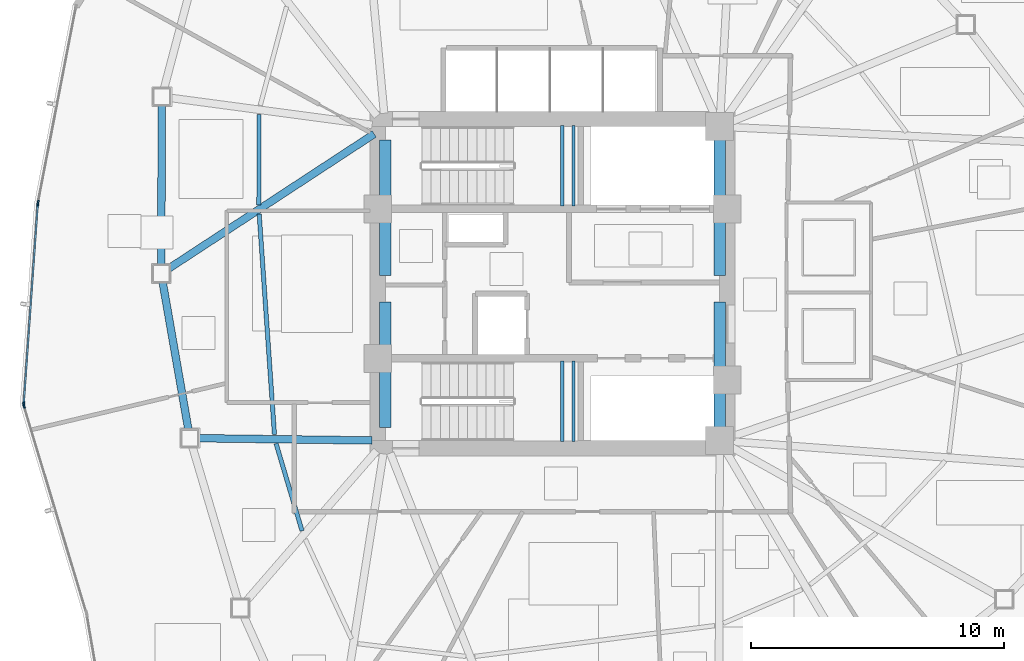
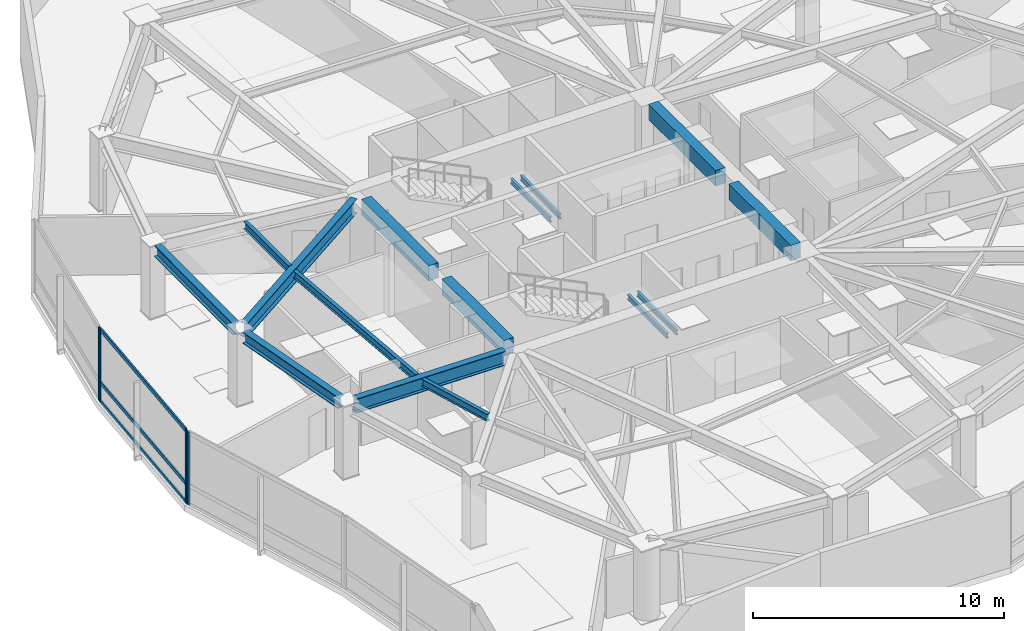
# One storey, part 4 of 17: 15 beams, 7 members, 3 elements without a shape of their own.
"""IFC4 building model written with IfcOpenShell, lengths in metres."""

from ifc_helpers import new_model, si_unit, direction, frame, origin, origin_2d, place, context, subcontext, project, spatial, rectangle, hollow_rectangle, i_section, extrude, source, transform, mapped, material, layer, layer_set, material_profile, profile_set, type_object, type_shapes, element, aggregate, save


model = new_model("IFC4")

# Units and contexts
model_context = context("Model", 3, precision=1e-05, world=origin(), true_north=direction((0.0, 1.0)))
body_context = subcontext(model_context, "Body", "Model", "MODEL_VIEW")
ifc_project = project(units=[si_unit("LENGTHUNIT", "METRE"), si_unit("AREAUNIT", "SQUARE_METRE"), si_unit("VOLUMEUNIT", "CUBIC_METRE"), si_unit("PLANEANGLEUNIT", "RADIAN"), si_unit("MASSUNIT", "GRAM", prefix="KILO")], contexts=[model_context])

# Site, building, storey
site_placement = place(None, origin())
site = spatial("IfcSite", under=ifc_project, at=site_placement, CompositionType="ELEMENT")
building_placement = place(site_placement, origin())
building = spatial("IfcBuilding", under=site, at=building_placement, Name="Tavelor Broadcast Tower", CompositionType="ELEMENT")
storey_placement = place(building_placement, frame((0.0, 0.0, 127.14990234375)))
storey = spatial("IfcBuildingStorey", under=building, at=storey_placement, Name="L29", CompositionType="ELEMENT", Elevation=127.14990234375)

# Beams
ifc_material_1 = material(Name="Concrete C40/50", Category="concrete")
ifc_material_profile_1 = material_profile(ifc_material_1, rectangle(XDim=0.449951171875, YDim=0.75, at=origin_2d()), Name="RC 450x750")
ifc_profile_set_1 = profile_set([ifc_material_profile_1], Name="Concrete C40/50")
beam_type_1 = type_object("IfcBeamType", Name="Basement Core Trim Beam 450x750", PredefinedType="BEAM", material=ifc_profile_set_1)
for number, where, z_axis, x_axis, name in (
    (1, (43.39990234375, 45.327880859375, 3.175048828125), (0.0, 1.0, 0.0), (-1.0, 0.0, 0.0), "L29 Core West-N Tie Girder"),
    (2, (56.60009765625, 45.327880859375, 3.175048828125), (0.0, 1.0, 0.0), (-1.0, 0.0, 0.0), "L29 Core East-N Tie Girder"),
):
    element("IfcBeam", number, at=place(storey_placement, frame(where, z_axis=z_axis, x_axis=x_axis)), inside=storey, type_object=beam_type_1, Name=name, PredefinedType="BEAM", context=body_context, shape_type="SweptSolid", body=[
        extrude(rectangle(XDim=0.449951171875, YDim=0.75, at=origin_2d()), origin(), (0.0, 0.0, 1.0), 5.34423828125),
    ])
for number, where, z_axis, x_axis, name in (
    (3, (43.39990234375, 39.327880859375, 3.175048828125), (0.0, 1.0, 0.0), (-1.0, 0.0, 0.0), "L29 Core West-S Tie Girder"),
    (4, (56.60009765625, 39.327880859375, 3.175048828125), (0.0, 1.0, 0.0), (-1.0, 0.0, 0.0), "L29 Core East-S Tie Girder"),
):
    element("IfcBeam", number, at=place(storey_placement, frame(where, z_axis=z_axis, x_axis=x_axis)), inside=storey, type_object=beam_type_1, Name=name, PredefinedType="BEAM", context=body_context, shape_type="SweptSolid", body=[
        extrude(rectangle(XDim=0.449951171875, YDim=0.75, at=origin_2d()), origin(), (0.0, 0.0, 1.0), 4.944091796875),
    ])
ifc_material_2 = material(Name="Steel S355", Category="steel")
ifc_material_profile_2 = material_profile(ifc_material_2, i_section(OverallWidth=0.169921875, OverallDepth=0.360107421875, WebThickness=0.008056640625, FlangeThickness=0.0126953125, at=origin_2d()), Name="IPE 360")
ifc_profile_set_2 = profile_set([ifc_material_profile_2], Name="Steel S355")
beam_type_2 = type_object("IfcBeamType", Name="Composite Floor Joist T3 IPE 360", PredefinedType="JOIST", material=ifc_profile_set_2)
beam_1_placement = place(storey_placement, frame((38.413818359375, 51.685302734375, 3.3701171875), z_axis=(-0.002320654457, -0.999997307278, 0.0), x_axis=(0.999997307278, -0.002320654457, 0.0)))
element("IfcBeam", 5, at=beam_1_placement, inside=storey, type_object=beam_type_2, Name="L29 Secondary Composite Floor Joist 03", PredefinedType="JOIST", context=body_context, shape_type="SweptSolid", body=[
    extrude(i_section(OverallWidth=0.169921875, OverallDepth=0.360107421875, WebThickness=0.008056640625, FlangeThickness=0.0126953125, at=origin_2d()), origin(), (0.0, 0.0, 1.0), 3.576904296875),
])
beam_2_placement = place(storey_placement, frame((38.41748046875, 47.74658203125, 3.3701171875), z_axis=(0.069100565304, -0.997609699168, 0.0), x_axis=(0.997609699168, 0.069100565304, 0.0)))
element("IfcBeam", 6, at=beam_2_placement, inside=storey, type_object=beam_type_2, Name="L29 Secondary Composite Floor Joist 04", PredefinedType="JOIST", context=body_context, shape_type="SweptSolid", body=[
    extrude(i_section(OverallWidth=0.169921875, OverallDepth=0.360107421875, WebThickness=0.008056640625, FlangeThickness=0.0126953125, at=origin_2d()), origin(), (0.0, 0.0, 1.0), 8.730224609375),
])
beam_3_placement = place(storey_placement, frame((39.084716796875, 38.68310546875, 3.3701171875), z_axis=(0.285203072184, -0.958467113477, 0.0), x_axis=(0.958467113477, 0.285203072184, 0.0)))
element("IfcBeam", 7, at=beam_3_placement, inside=storey, type_object=beam_type_2, Name="L29 Secondary Composite Floor Joist 05", PredefinedType="JOIST", context=body_context, shape_type="SweptSolid", body=[
    extrude(i_section(OverallWidth=0.169921875, OverallDepth=0.360107421875, WebThickness=0.008056640625, FlangeThickness=0.0126953125, at=origin_2d()), origin(), (0.0, 0.0, 1.0), 3.593505859375),
])
ifc_material_profile_3 = material_profile(ifc_material_2, i_section(OverallWidth=0.300048828125, OverallDepth=0.550048828125, WebThickness=0.014892578125, FlangeThickness=0.029052734375, at=origin_2d()), Name="HEB 550")
ifc_profile_set_3 = profile_set([ifc_material_profile_3], Name="Steel S355")
beam_type_3 = type_object("IfcBeamType", Name="Perimeter Spandrel Beam T3 HEB 550", PredefinedType="SPANDREL", material=ifc_profile_set_3)
beam_4_placement = place(storey_placement, frame((34.57373046875, 52.043212890625, 3.275146484375), z_axis=(-0.00410245019, -0.999991584916, 0.0), x_axis=(0.999991584916, -0.00410245019, 0.0)))
element("IfcBeam", 8, at=beam_4_placement, inside=storey, type_object=beam_type_3, Name="L29 Framed-Tube Ring Spandrel 03", PredefinedType="SPANDREL", context=body_context, shape_type="SweptSolid", body=[
    extrude(i_section(OverallWidth=0.300048828125, OverallDepth=0.550048828125, WebThickness=0.014892578125, FlangeThickness=0.029052734375, at=origin_2d()), origin(), (0.0, 0.0, 1.0), 6.30810546875),
])
beam_5_placement = place(storey_placement, frame((34.604248046875, 45.068115234375, 3.275146484375), z_axis=(0.17197754126, -0.985100870623, 0.0), x_axis=(0.985100870623, 0.17197754126, 0.0)))
element("IfcBeam", 9, at=beam_5_placement, inside=storey, type_object=beam_type_3, Name="L29 Framed-Tube Ring Spandrel 04", PredefinedType="SPANDREL", context=body_context, shape_type="SweptSolid", body=[
    extrude(i_section(OverallWidth=0.300048828125, OverallDepth=0.550048828125, WebThickness=0.014892578125, FlangeThickness=0.029052734375, at=origin_2d()), origin(), (0.0, 0.0, 1.0), 5.925537109375),
])
ifc_material_profile_4 = material_profile(ifc_material_2, i_section(OverallWidth=0.300048828125, OverallDepth=0.68994140625, WebThickness=0.014404296875, FlangeThickness=0.027099609375, at=origin_2d()), Name="HEA 700")
ifc_profile_set_4 = profile_set([ifc_material_profile_4], Name="Steel S355")
beam_type_4 = type_object("IfcBeamType", Name="Radial Floor Girder T3 HEA 700", PredefinedType="BEAM", material=ifc_profile_set_4)
beam_6_placement = place(storey_placement, frame((42.95849609375, 50.91064453125, 3.205078125), z_axis=(-0.836455571638, -0.548034740391, 0.0), x_axis=(0.548034740391, -0.836455571638, 0.0)))
element("IfcBeam", 10, at=beam_6_placement, inside=storey, type_object=beam_type_4, Name="L29 Radial Primary Floor Girder 04", PredefinedType="BEAM", context=body_context, shape_type="SweptSolid", body=[
    extrude(i_section(OverallWidth=0.300048828125, OverallDepth=0.68994140625, WebThickness=0.014404296875, FlangeThickness=0.027099609375, at=origin_2d()), origin(), (0.0, 0.0, 1.0), 9.720947265625),
])
beam_7_placement = place(storey_placement, frame((42.8720703125, 38.806884765625, 3.205078125), z_axis=(-0.999916440376, 0.012927190963, 0.0), x_axis=(-0.012927190963, -0.999916440376, 0.0)))
element("IfcBeam", 11, at=beam_7_placement, inside=storey, type_object=beam_type_4, Name="L29 Radial Primary Floor Girder 05", PredefinedType="BEAM", context=body_context, shape_type="SweptSolid", body=[
    extrude(i_section(OverallWidth=0.300048828125, OverallDepth=0.68994140625, WebThickness=0.014404296875, FlangeThickness=0.027099609375, at=origin_2d()), origin(), (0.0, 0.0, 1.0), 6.85546875),
])
ifc_material_profile_5 = material_profile(ifc_material_2, i_section(OverallWidth=0.1201171875, OverallDepth=0.239990234375, WebThickness=0.006103515625, FlangeThickness=0.009765625, at=origin_2d()), Name="IPE 240")
ifc_profile_set_5 = profile_set([ifc_material_profile_5], Name="Steel S355")
beam_type_5 = type_object("IfcBeamType", Name="Stairwell Landing Support Trimmer Beam IPE240", PredefinedType="BEAM", material=ifc_profile_set_5)
for number, where, z_axis, x_axis, name in (
    (12, (50.385009765625, 48.06005859375, 1.610107421875), (0.0, 1.0, 0.0), (-1.0, 0.0, 0.0), "L29 Stair Landing Support Beam 91"),
    (13, (50.824951171875, 48.06005859375, 1.610107421875), (0.0, 1.0, 0.0), (-1.0, 0.0, 0.0), "L29 Stair Landing Support Beam 92"),
    (14, (50.385009765625, 38.760009765625, 1.610107421875), (0.0, 1.0, 0.0), (-1.0, 0.0, 0.0), "L29 Stair Landing Support Beam 305"),
    (15, (50.824951171875, 38.760009765625, 1.610107421875), (0.0, 1.0, 0.0), (-1.0, 0.0, 0.0), "L29 Stair Landing Support Beam 306"),
):
    element("IfcBeam", number, at=place(storey_placement, frame(where, z_axis=z_axis, x_axis=x_axis)), inside=storey, type_object=beam_type_5, Name=name, PredefinedType="BEAM", context=body_context, shape_type="SweptSolid", body=[
        extrude(i_section(OverallWidth=0.1201171875, OverallDepth=0.239990234375, WebThickness=0.006103515625, FlangeThickness=0.009765625, at=origin_2d()), origin(), (0.0, 0.0, 1.0), 3.179931640625),
    ])

# Curtain wall, member
ifc_material_3 = material(Name="Architectural Anodized Aluminium", Category="aluminium")
ifc_layer = layer(ifc_material_3, 0.18994140625)
ifc_layer_set = layer_set([ifc_layer], Name="Architectural Anodized Aluminium")
curtain_wall_type = type_object("IfcCurtainWallType", Name="Tower Mid-Zone Acoustic Curtain Wall CW03", PredefinedType="NOTDEFINED", material=ifc_layer_set)
curtain_wall_1_placement = place(storey_placement, origin())
curtain_wall_1 = element("IfcCurtainWall", 16, at=curtain_wall_1_placement, inside=storey, type_object=curtain_wall_type, Name="L29 Curtain Wall CW03 Run 289", PredefinedType="NOTDEFINED")
ifc_material_profile_6 = material_profile(ifc_material_3, hollow_rectangle(XDim=0.068115234375, YDim=0.18994140625, WallThickness=0.02197265625, at=origin_2d()), Name="RHS 68x190x22")
ifc_profile_set_6 = profile_set([ifc_material_profile_6], Name="Architectural Anodized Aluminium")
member_type_1 = type_object("IfcMemberType", Name="CW03 Extruded Aluminium Mullion 68x190", PredefinedType="MULLION", material=ifc_profile_set_6)
shared_shape_1 = source(origin(), body_context, "Body", "SweptSolid", [
    extrude(hollow_rectangle(XDim=0.068115234375, YDim=0.18994140625, WallThickness=0.02197265625, at=origin_2d()), origin(), (0.0, 0.0, 1.0), 3.550048828125),
])
type_shapes(member_type_1, [shared_shape_1])
member_1_placement = place(storey_placement, frame((29.6845703125, 48.197998046875, 0.0), z_axis=(0.0, 0.0, 1.0), x_axis=(0.981710794779, -0.190378348072, 0.0)))
member_1 = element("IfcMember", 17, at=member_1_placement, type_object=member_type_1, Name="CW03 mullion 2", PredefinedType="MULLION", context=body_context, shape_type="MappedRepresentation", body=[
    mapped(shared_shape_1, transform((0.0, 0.0, 0.0), scale=1.0)),
])
aggregate(curtain_wall_1, [member_1])

# Curtain wall, members
curtain_wall_2_placement = place(storey_placement, origin())
curtain_wall_2 = element("IfcCurtainWall", 18, at=curtain_wall_2_placement, inside=storey, type_object=curtain_wall_type, Name="L29 Curtain Wall CW03 Run 290", PredefinedType="NOTDEFINED")
member_2_placement = place(storey_placement, frame((29.671630859375, 48.100830078125, 0.0), z_axis=(0.0, 0.0, 1.0), x_axis=(0.997533677424, -0.070189475033, 0.0)))
member_2 = element("IfcMember", 19, at=member_2_placement, type_object=member_type_1, Name="CW03 mullion 1", PredefinedType="MULLION", context=body_context, shape_type="MappedRepresentation", body=[
    mapped(shared_shape_1, transform((0.0, 0.0, 0.0), scale=1.0)),
])
member_3_placement = place(storey_placement, frame((29.120361328125, 40.265380859375, 0.0), z_axis=(0.0, 0.0, 1.0), x_axis=(0.997533677424, -0.070189475033, 0.0)))
member_3 = element("IfcMember", 20, at=member_3_placement, type_object=member_type_1, Name="CW03 mullion 2", PredefinedType="MULLION", context=body_context, shape_type="MappedRepresentation", body=[
    mapped(shared_shape_1, transform((0.0, 0.0, 0.0), scale=1.0)),
])

# Curtain wall, member
curtain_wall_3_placement = place(storey_placement, origin())
curtain_wall_3 = element("IfcCurtainWall", 21, at=curtain_wall_3_placement, inside=storey, type_object=curtain_wall_type, Name="L29 Curtain Wall CW03 Run 291", PredefinedType="NOTDEFINED")
member_4_placement = place(storey_placement, frame((29.131103515625, 40.169677734375, 0.0), z_axis=(0.0, 0.0, 1.0), x_axis=(0.957365220535, 0.288880311737, 0.0)))
member_4 = element("IfcMember", 22, at=member_4_placement, type_object=member_type_1, Name="CW03 mullion 1", PredefinedType="MULLION", context=body_context, shape_type="MappedRepresentation", body=[
    mapped(shared_shape_1, transform((0.0, 0.0, 0.0), scale=1.0)),
])
aggregate(curtain_wall_3, [member_4])

# Member
ifc_material_profile_7 = material_profile(ifc_material_3, hollow_rectangle(XDim=0.068115234375, YDim=0.18994140625, WallThickness=0.02197265625, at=origin_2d()), Name="RHS 68x190x22")
ifc_profile_set_7 = profile_set([ifc_material_profile_7], Name="Architectural Anodized Aluminium")
member_type_2 = type_object("IfcMemberType", Name="CW03 Extruded Aluminium Transom 68x190", PredefinedType="USERDEFINED", material=ifc_profile_set_7)
shared_shape_2 = source(origin(), body_context, "Body", "SweptSolid", [
    extrude(hollow_rectangle(XDim=0.068115234375, YDim=0.18994140625, WallThickness=0.02197265625, at=origin_2d()), origin(), (0.0, 0.0, 1.0), 7.786865234375),
])
type_shapes(member_type_2, [shared_shape_2])
member_5_placement = place(storey_placement, frame((29.66943359375, 48.06689453125, 0.0341796875), z_axis=(-0.070199782492, -0.997532952106, 0.0), x_axis=(0.997532952106, -0.070199782492, 0.0)))
member_5 = element("IfcMember", 23, at=member_5_placement, type_object=member_type_2, Name="CW03 transom 1.1", ObjectType="TRANSOM", PredefinedType="USERDEFINED", context=body_context, shape_type="MappedRepresentation", body=[
    mapped(shared_shape_2, transform((0.0, 0.0, 0.0), scale=1.0)),
])

member_6_placement = place(storey_placement, frame((29.66943359375, 48.06689453125, 0.9501953125), z_axis=(-0.070199782492, -0.997532952106, 0.0), x_axis=(0.997532952106, -0.070199782492, 0.0)))
member_6 = element("IfcMember", 24, at=member_6_placement, type_object=member_type_2, Name="CW03 transom 1.2", ObjectType="TRANSOM", PredefinedType="USERDEFINED", context=body_context, shape_type="MappedRepresentation", body=[
    mapped(shared_shape_2, transform((0.0, 0.0, 0.0), scale=1.0)),
])

member_7_placement = place(storey_placement, frame((29.66943359375, 48.06689453125, 3.51611328125), z_axis=(-0.070199782492, -0.997532952106, 0.0), x_axis=(0.997532952106, -0.070199782492, 0.0)))
member_7 = element("IfcMember", 25, at=member_7_placement, type_object=member_type_2, Name="CW03 transom 1.3", ObjectType="TRANSOM", PredefinedType="USERDEFINED", context=body_context, shape_type="MappedRepresentation", body=[
    mapped(shared_shape_2, transform((0.0, 0.0, 0.0), scale=1.0)),
])

aggregate(curtain_wall_2, [member_2, member_3, member_5, member_6, member_7])

save(model, "model.ifc")
